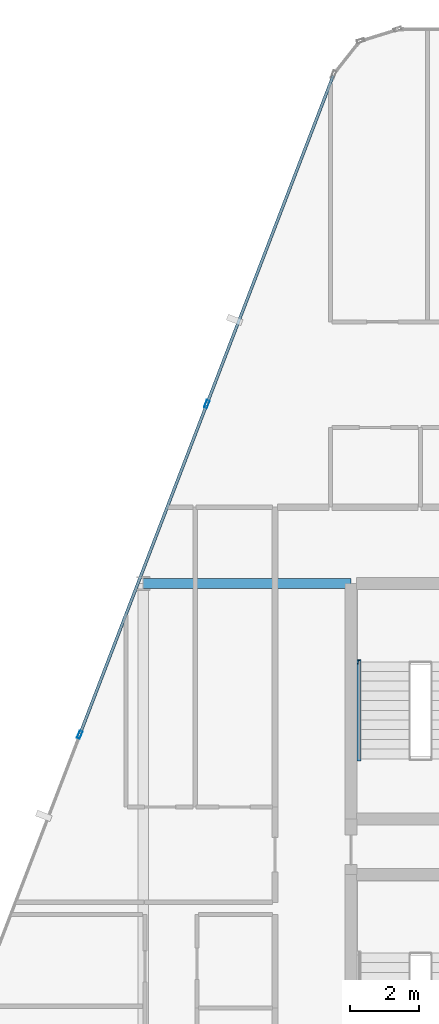
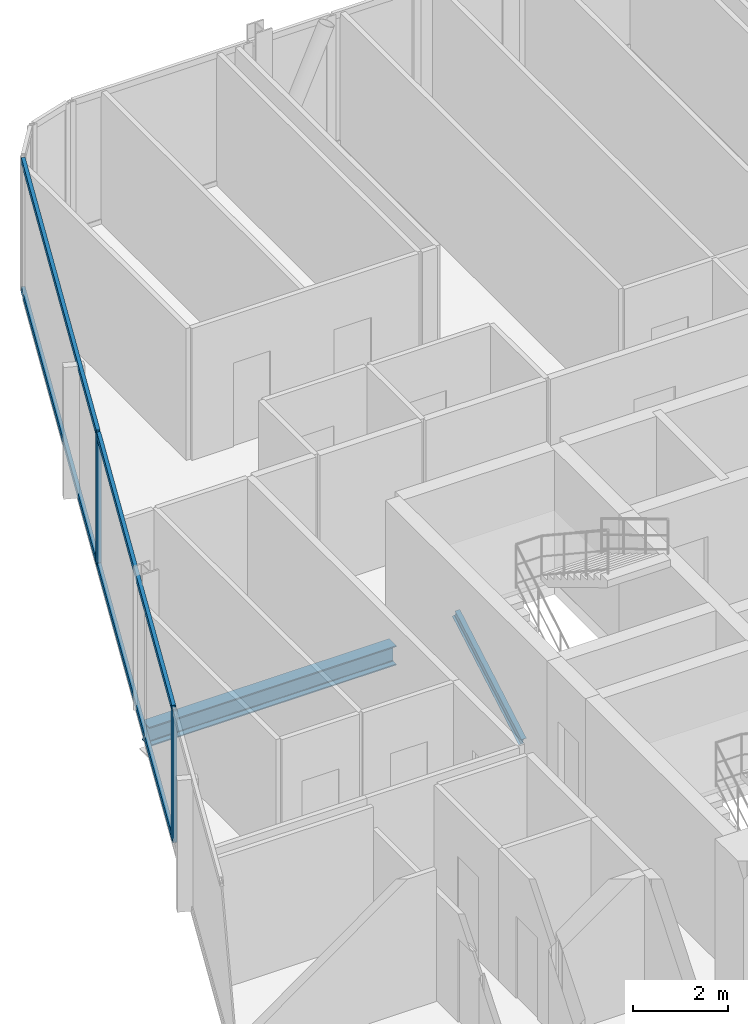
# One storey, part 12 of 34: 7 members, 1 beam, 1 element without a shape of its own.
"""IFC4 building model written with IfcOpenShell, lengths in metres."""

from ifc_helpers import new_model, si_unit, direction, frame, origin, origin_2d, place, context, subcontext, project, spatial, hollow_rectangle, i_section, extrude, material, layer, layer_set, material_profile, profile_set, type_object, element, aggregate, save


model = new_model("IFC4")

# Units and contexts
model_context = context("Model", 3, precision=1e-05, world=origin(), true_north=direction((0.0, 1.0)))
body_context = subcontext(model_context, "Body", "Model", "MODEL_VIEW")
ifc_project = project(units=[si_unit("LENGTHUNIT", "METRE"), si_unit("AREAUNIT", "SQUARE_METRE"), si_unit("VOLUMEUNIT", "CUBIC_METRE"), si_unit("PLANEANGLEUNIT", "RADIAN"), si_unit("MASSUNIT", "GRAM", prefix="KILO")], contexts=[model_context])

# Site, building, storey
site_placement = place(None, origin())
site = spatial("IfcSite", under=ifc_project, at=site_placement, CompositionType="ELEMENT")
building_placement = place(site_placement, origin())
building = spatial("IfcBuilding", under=site, at=building_placement, Name="Keshet Zoharim Tower", CompositionType="ELEMENT")
storey_placement = place(building_placement, frame((0.0, 0.0, 70.10009765625)))
storey = spatial("IfcBuildingStorey", under=building, at=storey_placement, Name="L16", CompositionType="ELEMENT", Elevation=70.10009765625)

# Beam
ifc_material_1 = material(Name="Steel S355", Category="steel")
ifc_material_profile_1 = material_profile(ifc_material_1, i_section(OverallWidth=0.300048828125, OverallDepth=0.5, WebThickness=0.014404296875, FlangeThickness=0.028076171875, FilletRadius=0.027099609375, at=origin_2d()), Name="HEB500")
ifc_profile_set_1 = profile_set([ifc_material_profile_1], Name="Steel S355")
beam_type = type_object("IfcBeamType", Name="BM-WEB-HB500", PredefinedType="BEAM", material=ifc_profile_set_1)
beam_placement = place(storey_placement, frame((9.0, 37.89990234375, -0.565185546875), z_axis=(1.0, 0.0, 0.0), x_axis=(0.0, 1.0, 0.0)))
element("IfcBeam", 1, at=beam_placement, inside=storey, type_object=beam_type, Name="L16 Primary Girder X-028", PredefinedType="BEAM", context=body_context, shape_type="SweptSolid", body=[
    extrude(i_section(OverallWidth=0.300048828125, OverallDepth=0.5, WebThickness=0.014404296875, FlangeThickness=0.028076171875, FilletRadius=0.027099609375, at=origin_2d()), origin(), (0.0, 0.0, 1.0), 6.0),
])

# Curtain wall, members
ifc_material_2 = material(Name="Aluminium 6063-T6", Category="aluminium")
ifc_layer = layer(ifc_material_2, 0.179931640625)
ifc_layer_set = layer_set([ifc_layer], Name="Aluminium 6063-T6")
curtain_wall_type = type_object("IfcCurtainWallType", Name="CW-SYS-01", PredefinedType="NOTDEFINED", material=ifc_layer_set)
curtain_wall_placement = place(storey_placement, origin())
curtain_wall = element("IfcCurtainWall", 2, at=curtain_wall_placement, inside=storey, type_object=curtain_wall_type, Name="L16 Unitised Curtain Wall 04", PredefinedType="NOTDEFINED")
ifc_material_profile_2 = material_profile(ifc_material_2, hollow_rectangle(XDim=0.090087890625, YDim=0.219970703125, WallThickness=0.0048828125, at=origin_2d()), Name="MUL-90x220")
ifc_profile_set_2 = profile_set([ifc_material_profile_2], Name="Aluminium 6063-T6")
member_type_1 = type_object("IfcMemberType", Name="CWM-M22", PredefinedType="MULLION", material=ifc_profile_set_2)
member_1_placement = place(storey_placement, frame((7.1669921875, 33.53466796875, 0.0), z_axis=(0.0, 0.0, 1.0), x_axis=(-0.933341404361, 0.358990003907, 0.0)))
member_1 = element("IfcMember", 3, at=member_1_placement, type_object=member_type_1, Name="CW-01 mullion 2", PredefinedType="MULLION", context=body_context, shape_type="SweptSolid", body=[
    extrude(hollow_rectangle(XDim=0.090087890625, YDim=0.219970703125, WallThickness=0.0048828125, at=origin_2d()), origin(), (0.0, 0.0, 1.0), 3.385009765625),
])
member_2_placement = place(storey_placement, frame((10.8369140625, 43.076416015625, 0.0), z_axis=(0.0, 0.0, 1.0), x_axis=(-0.933341404361, 0.358990003907, 0.0)))
member_2 = element("IfcMember", 4, at=member_2_placement, type_object=member_type_1, Name="CW-01 mullion 3", PredefinedType="MULLION", context=body_context, shape_type="SweptSolid", body=[
    extrude(hollow_rectangle(XDim=0.090087890625, YDim=0.219970703125, WallThickness=0.0048828125, at=origin_2d()), origin(), (0.0, 0.0, 1.0), 3.385009765625),
])
ifc_material_profile_3 = material_profile(ifc_material_2, hollow_rectangle(XDim=0.0849609375, YDim=0.159912109375, WallThickness=0.00439453125, at=origin_2d()), Name="TRN-85x160")
ifc_profile_set_3 = profile_set([ifc_material_profile_3], Name="Aluminium 6063-T6")
member_type_2 = type_object("IfcMemberType", Name="CWT-T16", PredefinedType="USERDEFINED", material=ifc_profile_set_3)
member_3_placement = place(storey_placement, frame((7.179443359375, 33.5673828125, 0.034912109375), z_axis=(0.359003248899, 0.933336309848, 0.0), x_axis=(-0.933336309848, 0.359003248899, 0.0)))
member_3 = element("IfcMember", 5, at=member_3_placement, type_object=member_type_2, Name="CW-01 transom 2.1", ObjectType="TRANSOM", PredefinedType="USERDEFINED", context=body_context, shape_type="SweptSolid", body=[
    extrude(hollow_rectangle(XDim=0.0849609375, YDim=0.159912109375, WallThickness=0.00439453125, at=origin_2d()), origin(), (0.0, 0.0, 1.0), 10.153076171875),
])
member_4_placement = place(storey_placement, frame((7.179443359375, 33.5673828125, 3.349853515625), z_axis=(0.359003248899, 0.933336309848, 0.0), x_axis=(-0.933336309848, 0.359003248899, 0.0)))
member_4 = element("IfcMember", 6, at=member_4_placement, type_object=member_type_2, Name="CW-01 transom 2.2", ObjectType="TRANSOM", PredefinedType="USERDEFINED", context=body_context, shape_type="SweptSolid", body=[
    extrude(hollow_rectangle(XDim=0.0849609375, YDim=0.159912109375, WallThickness=0.00439453125, at=origin_2d()), origin(), (0.0, 0.0, 1.0), 10.153076171875),
])
member_5_placement = place(storey_placement, frame((10.849609375, 43.10888671875, 0.034912109375), z_axis=(0.358985546764, 0.933343118694, 0.0), x_axis=(-0.933343118694, 0.358985546764, 0.0)))
member_5 = element("IfcMember", 7, at=member_5_placement, type_object=member_type_2, Name="CW-01 transom 3.1", ObjectType="TRANSOM", PredefinedType="USERDEFINED", context=body_context, shape_type="SweptSolid", body=[
    extrude(hollow_rectangle(XDim=0.0849609375, YDim=0.159912109375, WallThickness=0.00439453125, at=origin_2d()), origin(), (0.0, 0.0, 1.0), 10.118408203125),
])
member_6_placement = place(storey_placement, frame((10.849609375, 43.10888671875, 3.349853515625), z_axis=(0.358985546764, 0.933343118694, 0.0), x_axis=(-0.933343118694, 0.358985546764, 0.0)))
member_6 = element("IfcMember", 8, at=member_6_placement, type_object=member_type_2, Name="CW-01 transom 3.2", ObjectType="TRANSOM", PredefinedType="USERDEFINED", context=body_context, shape_type="SweptSolid", body=[
    extrude(hollow_rectangle(XDim=0.0849609375, YDim=0.159912109375, WallThickness=0.00439453125, at=origin_2d()), origin(), (0.0, 0.0, 1.0), 10.118408203125),
])
aggregate(curtain_wall, [member_1, member_2, member_3, member_4, member_5, member_6])

# Member
ifc_material_profile_4 = material_profile(ifc_material_1, i_section(OverallWidth=0.1201171875, OverallDepth=0.239990234375, WebThickness=0.006103515625, FlangeThickness=0.009765625, FilletRadius=0.014892578125, at=origin_2d()), Name="IPE240")
ifc_profile_set_4 = profile_set([ifc_material_profile_4], Name="Steel S355")
member_type_3 = type_object("IfcMemberType", Name="MB-STRG-IP240", PredefinedType="STRINGER", material=ifc_profile_set_4)
member_7_placement = place(storey_placement, frame((15.22998046875, 32.840087890625, 0.119873046875), z_axis=(0.0, 0.866876903101, 0.498522251129), x_axis=(-1.0, 0.0, 0.0)))
element("IfcMember", 9, at=member_7_placement, inside=storey, type_object=member_type_3, Name="L16 ST-02 Flight Steel Stringer", PredefinedType="STRINGER", context=body_context, shape_type="SweptSolid", body=[
    extrude(i_section(OverallWidth=0.1201171875, OverallDepth=0.239990234375, WebThickness=0.006103515625, FlangeThickness=0.009765625, FilletRadius=0.014892578125, at=origin_2d()), origin(), (0.0, 0.0, 1.0), 3.229736328125),
])

save(model, "model.ifc")
